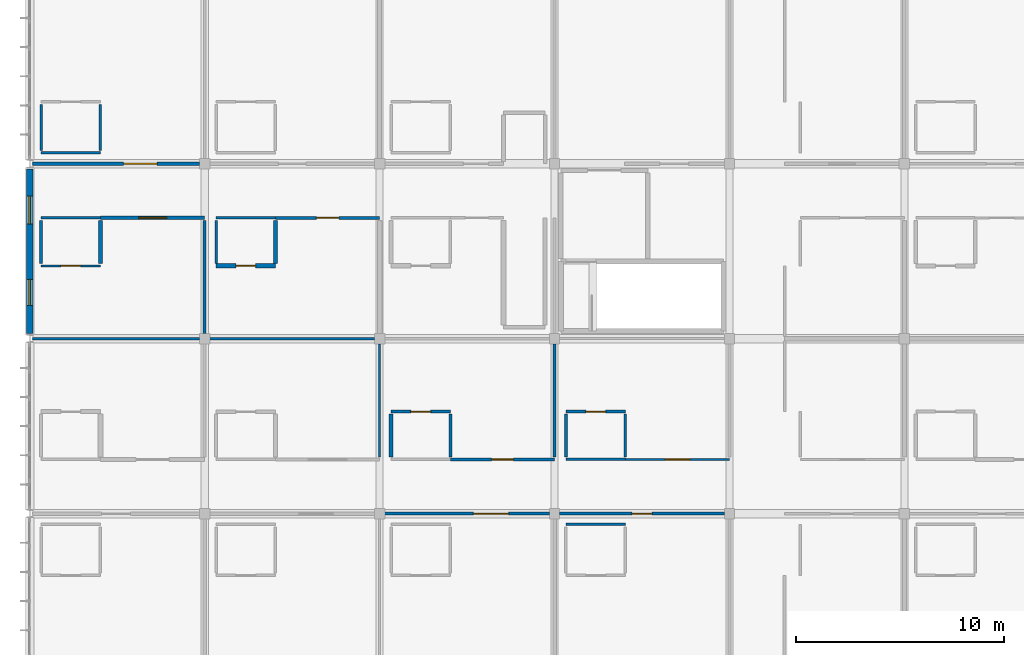
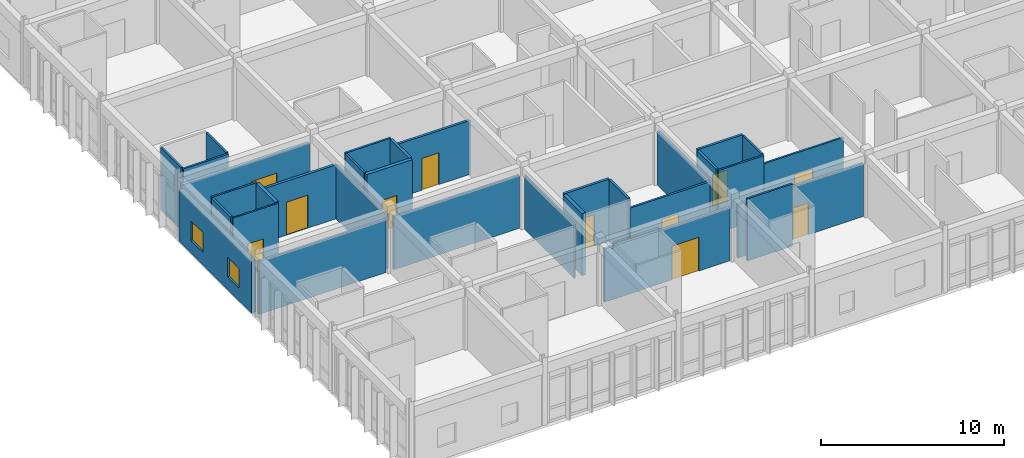
# One storey, part 96 of 144: 32 walls, 11 doors, 2 windows, 13 openings.
"""IFC4 building model written with IfcOpenShell, lengths in metres."""

import ifcopenshell
import ifcopenshell.guid

model = None  # the IFC model being written
_history = None  # IfcOwnerHistory: only IFC2X3 demands one
_inside = {}  # id of a spatial element -> (the spatial element, [elements in it])
_under = {}  # id of a project, library or spatial element -> (it, [spatial elements below it])
_declared = {}  # id of a project -> (the project, [libraries it declares])
_typed = {}  # id of a type object -> (the type object, [elements of that type])
_made_of = {}  # id of a material, layer set ... -> (it, [elements and type objects made of it])


def new_model(schema):
    """Start an empty IFC model of exactly this schema.

    Asked for "IFC4X3", IfcOpenShell would pick the latest addendum, in which some entities
    have other attributes; the version numbers below select the first issue.
    IFC2X3 requires an IfcOwnerHistory on every rooted entity: one is made here for all.
    """
    global model, _history
    if schema == "IFC4X3":
        model = ifcopenshell.file(schema_version=(4, 3, 0, 0))
    else:
        model = ifcopenshell.file(schema=schema)
    _inside.clear()
    _under.clear()
    _declared.clear()
    _typed.clear()
    _made_of.clear()
    _history = None
    if model.schema == "IFC2X3":
        org = make("IfcOrganization", Name="unknown")
        user = make(
            "IfcPersonAndOrganization",
            ThePerson=make("IfcPerson", FamilyName="unknown"),
            TheOrganization=org,
        )
        app = make(
            "IfcApplication",
            ApplicationDeveloper=org,
            Version="unknown",
            ApplicationFullName="unknown",
            ApplicationIdentifier="unknown",
        )
        _history = make(
            "IfcOwnerHistory",
            OwningUser=user,
            OwningApplication=app,
            ChangeAction="ADDED",
            CreationDate=0,
        )
    return model


def make(cls, **values):
    """One entity of the class cls with the attributes given. An attribute that is None is left unset."""
    return model.create_entity(
        cls, **{name: value for name, value in values.items() if value is not None}
    )


def rooted(cls, **values):
    """An entity with a GlobalId (a new one), such as an element, a storey or a relation."""
    return make(cls, GlobalId=ifcopenshell.guid.new(), OwnerHistory=_history, **values)


def si_unit(unit_type, name, prefix=None):
    """IfcSIUnit, for example si_unit("LENGTHUNIT", "METRE", prefix="MILLI")."""
    return make("IfcSIUnit", UnitType=unit_type, Prefix=prefix, Name=name)


def assignment(units):
    """IfcUnitAssignment: the units of a project."""
    return None if units is None else make("IfcUnitAssignment", Units=units)


def point(xyz):
    """IfcCartesianPoint."""
    return None if xyz is None else make("IfcCartesianPoint", Coordinates=xyz)


def direction(xyz):
    """IfcDirection."""
    return None if xyz is None else make("IfcDirection", DirectionRatios=xyz)


def frame(location, z_axis=None, x_axis=None):
    """IfcAxis2Placement3D, a coordinate frame: its origin and axes. An axis left out is left unset."""
    return make(
        "IfcAxis2Placement3D",
        Location=point(location),
        Axis=direction(z_axis),
        RefDirection=direction(x_axis),
    )


def frame_2d(location, x_axis=None):
    """IfcAxis2Placement2D, a coordinate frame in the plane: its origin and x axis."""
    return make(
        "IfcAxis2Placement2D", Location=point(location), RefDirection=direction(x_axis)
    )


def origin():
    """The frame at (0, 0, 0) with its axes left unset."""
    return frame((0.0, 0.0, 0.0))


def place(relative_to, where):
    """IfcLocalPlacement: puts the frame where relative to a parent placement (None: the world)."""
    return make(
        "IfcLocalPlacement", PlacementRelTo=relative_to, RelativePlacement=where
    )


def context(
    kind, dimensions, precision=None, world=None, true_north=None, identifier=None
):
    """IfcGeometricRepresentationContext, for example the 3D "Model" context."""
    return make(
        "IfcGeometricRepresentationContext",
        ContextIdentifier=identifier,
        ContextType=kind,
        CoordinateSpaceDimension=dimensions,
        Precision=precision,
        WorldCoordinateSystem=world,
        TrueNorth=true_north,
    )


def subcontext(parent, identifier, kind, view, scale=None):
    """IfcGeometricRepresentationSubContext, for example "Body" below "Model"."""
    return make(
        "IfcGeometricRepresentationSubContext",
        ContextIdentifier=identifier,
        ContextType=kind,
        ParentContext=parent,
        TargetScale=scale,
        TargetView=view,
    )


def project(units=None, contexts=None):
    """IfcProject with its units and contexts."""
    return rooted(
        "IfcProject",
        Name="project",
        RepresentationContexts=contexts,
        UnitsInContext=assignment(units),
    )


def spatial(cls, under=None, at=None, **own):
    """A site, building, storey or space (cls), placed at a placement, below another one or the project."""
    s = rooted(cls, ObjectPlacement=at, **own)
    if under is not None:
        _under.setdefault(under.id(), (under, []))[1].append(s)
    return s


def profile(cls, at=None, kind="AREA", **sizes):
    """A parametric profile (cls). Its sizes go by their IFC names, for example OverallWidth=200.0."""
    return make(cls, ProfileType=kind, Position=at, **sizes)


def rectangle(**sizes):
    """IfcRectangleProfileDef."""
    return profile("IfcRectangleProfileDef", **sizes)


def extrude(swept, where, along, depth):
    """IfcExtrudedAreaSolid: the profile swept, set in the frame where, extruded along a direction by depth."""
    return make(
        "IfcExtrudedAreaSolid",
        SweptArea=swept,
        Position=where,
        ExtrudedDirection=direction(along),
        Depth=depth,
    )


def shape(context_of_items, identifier, shape_type, items):
    """IfcShapeRepresentation: the items that make up one representation, for example the "Body"."""
    return make(
        "IfcShapeRepresentation",
        ContextOfItems=context_of_items,
        RepresentationIdentifier=identifier,
        RepresentationType=shape_type,
        Items=items,
    )


def material(Name=None, Category=None):
    """IfcMaterial."""
    return make("IfcMaterial", Name=Name, Category=Category)


def layer(
    of_material, thickness, ventilated=None, Name=None, Category=None, Priority=None
):
    """IfcMaterialLayer: one layer of a wall or slab, of a material (None: an air gap)."""
    return make(
        "IfcMaterialLayer",
        Material=of_material,
        LayerThickness=thickness,
        IsVentilated=ventilated,
        Name=Name,
        Category=Category,
        Priority=Priority,
    )


def layer_set(layers, Name=None):
    """IfcMaterialLayerSet."""
    return make("IfcMaterialLayerSet", MaterialLayers=layers, LayerSetName=Name)


def made_of(thing, what):
    """Note that an element or type object is made of a material, layer set ...; save() writes the relation."""
    if what is not None:
        _made_of.setdefault(what.id(), (what, []))[1].append(thing)
    return thing


def type_object(cls, material=None, **own):
    """A type object (cls), such as IfcWallType, which elements share."""
    return made_of(rooted(cls, **own), material)


def element(
    cls,
    number,
    at=None,
    inside=None,
    cuts=None,
    type_object=None,
    material=None,
    context=None,
    identifier="Body",
    shape_type=None,
    held_by="IfcProductDefinitionShape",
    body=None,
    shapes=None,
    **own,
):
    """One element of the class cls, such as IfcWall. Its Tag is "e" and its number.

    at: its placement. inside: the storey or other place that contains it. cuts: it is an
    opening in that element (IfcRelVoidsElement). A single representation is given by context,
    identifier, shape_type and body (its items); several are given by shapes. held_by: the class
    of the entity that holds the representations. save() writes the other relations.
    """
    e = rooted(cls, Tag="e%d" % number, ObjectPlacement=at, **own)
    if body is not None:
        shapes = [shape(context, identifier, shape_type, body)]
    if shapes is not None:
        e.Representation = make(held_by, Representations=shapes)
    if inside is not None:
        _inside.setdefault(inside.id(), (inside, []))[1].append(e)
    if cuts is not None:
        rooted(
            "IfcRelVoidsElement", RelatingBuildingElement=cuts, RelatedOpeningElement=e
        )
    if type_object is not None:
        _typed.setdefault(type_object.id(), (type_object, []))[1].append(e)
    return made_of(e, material)


def fill(opening, filler):
    """IfcRelFillsElement: the door or window that sits in an opening."""
    return rooted(
        "IfcRelFillsElement",
        RelatingOpeningElement=opening,
        RelatedBuildingElement=filler,
    )


def aggregate(whole, parts):
    """IfcRelAggregates: a whole, such as a stair, and the parts it consists of."""
    return rooted("IfcRelAggregates", RelatingObject=whole, RelatedObjects=parts)


def save(model, path):
    """Write the relations noted so far, then the file.

    IfcRelAggregates (storeys below a building ...), IfcRelContainedInSpatialStructure (elements
    in a storey), IfcRelDefinesByType, IfcRelAssociatesMaterial and IfcRelDeclares: one each for
    every whole, place, type object, material and project.
    """
    for whole, parts in _under.values():
        aggregate(whole, parts)
    for where, things in _inside.values():
        rooted(
            "IfcRelContainedInSpatialStructure",
            RelatedElements=things,
            RelatingStructure=where,
        )
    for kind, things in _typed.values():
        rooted("IfcRelDefinesByType", RelatedObjects=things, RelatingType=kind)
    for what, things in _made_of.values():
        rooted("IfcRelAssociatesMaterial", RelatedObjects=things, RelatingMaterial=what)
    for by, libraries in _declared.values():
        rooted("IfcRelDeclares", RelatingContext=by, RelatedDefinitions=libraries)
    model.write(path)


model = new_model("IFC4")

# Units and contexts
model_context = context("Model", 3, precision=1e-05, world=origin(), true_north=direction((0.0, 1.0)))
body_context = subcontext(model_context, "Body", "Model", "MODEL_VIEW")
ifc_project = project(units=[si_unit("LENGTHUNIT", "METRE"), si_unit("AREAUNIT", "SQUARE_METRE"), si_unit("VOLUMEUNIT", "CUBIC_METRE"), si_unit("PLANEANGLEUNIT", "RADIAN"), si_unit("MASSUNIT", "GRAM", prefix="KILO")], contexts=[model_context])

# Site, building, storey
site_placement = place(None, origin())
site = spatial("IfcSite", under=ifc_project, at=site_placement, CompositionType="ELEMENT")
building_placement = place(site_placement, origin())
building = spatial("IfcBuilding", under=site, at=building_placement, Name="Bramfleet General Hospital", CompositionType="ELEMENT")
storey_placement = place(building_placement, frame((0.0, 0.0, 4.800048828125)))
storey = spatial("IfcBuildingStorey", under=building, at=storey_placement, Name="L01", CompositionType="ELEMENT", Elevation=4.800048828125)

# Wall, openings, windows
ifc_material_1 = material(Name="Precast concrete C40/50", Category="concrete")
ifc_layer_1 = layer(ifc_material_1, 0.294921875, Name="WT-EW-05")
ifc_layer_set_1 = layer_set([ifc_layer_1], Name="Precast concrete C40/50")
wall_type_1 = type_object("IfcWallType", Name="WT-EW-05", PredefinedType="SOLIDWALL", material=ifc_layer_set_1)
wall_1_placement = place(storey_placement, frame((0.0, 17.054931640625, 0.0), z_axis=(0.0, 0.0, 1.0), x_axis=(0.0, 1.0, 0.0)))
wall_1 = element("IfcWall", 1, at=wall_1_placement, inside=storey, type_object=wall_type_1, Name="L01 Exterior Wall 192", PredefinedType="SOLIDWALL", context=body_context, shape_type="SweptSolid", body=[
    extrude(rectangle(XDim=7.89013671875, YDim=0.294921875, at=frame_2d((3.945068359375, 0.0))), origin(), (0.0, 0.0, 1.0), 3.43994140625),
])
opening_1_placement = place(wall_1_placement, frame((1.347412109375, 0.0, 0.85009765625)))
opening_1 = element("IfcOpeningElement", 2, at=opening_1_placement, cuts=wall_1, Name="Opening W-04", PredefinedType="OPENING", context=body_context, shape_type="SweptSolid", body=[
    extrude(rectangle(XDim=1.25, YDim=1.300048828125, at=frame_2d((0.625, 0.64990234375))), frame((0.0, 0.157470703125, 0.0), z_axis=(0.0, -1.0, 0.0), x_axis=(1.0, 0.0, 0.0)), (0.0, 0.0, 1.0), 0.31494140625),
])
opening_2_placement = place(wall_1_placement, frame((5.242431640625, 0.0, 0.85009765625)))
opening_2 = element("IfcOpeningElement", 3, at=opening_2_placement, cuts=wall_1, Name="Opening W-05", PredefinedType="OPENING", context=body_context, shape_type="SweptSolid", body=[
    extrude(rectangle(XDim=1.35009765625, YDim=1.300048828125, at=frame_2d((0.675048828125, 0.64990234375))), frame((0.0, 0.157470703125, 0.0), z_axis=(0.0, -1.0, 0.0), x_axis=(1.0, 0.0, 0.0)), (0.0, 0.0, 1.0), 0.31494140625),
])
ifc_material_2 = material(Name="Anodised aluminium and low-E triple glazing", Category="aluminium")
window_type_1 = type_object("IfcWindowType", Name="WIN-W-04", PartitioningType="SINGLE_PANEL", PredefinedType="WINDOW", material=ifc_material_2)
window_1_placement = place(opening_1_placement, origin())
window_1 = element("IfcWindow", 4, at=window_1_placement, inside=storey, type_object=window_type_1, Name="L01 Facade Window WIN-L01-192-1", OverallHeight=1.300048828125, OverallWidth=1.25, PartitioningType="SINGLE_PANEL", PredefinedType="WINDOW", context=body_context, shape_type="SweptSolid", body=[
    extrude(rectangle(XDim=1.25, YDim=1.300048828125, at=frame_2d((0.625, 0.64990234375))), frame((0.0, 0.030029296875, 0.0), z_axis=(0.0, -1.0, 0.0), x_axis=(1.0, 0.0, 0.0)), (0.0, 0.0, 1.0), 0.06005859375),
])
fill(opening_1, window_1)
window_type_2 = type_object("IfcWindowType", Name="WIN-W-05", PartitioningType="SINGLE_PANEL", PredefinedType="WINDOW", material=ifc_material_2)
window_2_placement = place(opening_2_placement, origin())
window_2 = element("IfcWindow", 5, at=window_2_placement, inside=storey, type_object=window_type_2, Name="L01 Facade Window WIN-L01-192-2", OverallHeight=1.300048828125, OverallWidth=1.35009765625, PartitioningType="SINGLE_PANEL", PredefinedType="WINDOW", context=body_context, shape_type="SweptSolid", body=[
    extrude(rectangle(XDim=1.35009765625, YDim=1.300048828125, at=frame_2d((0.675048828125, 0.64990234375))), frame((0.0, 0.030029296875, 0.0), z_axis=(0.0, -1.0, 0.0), x_axis=(1.0, 0.0, 0.0)), (0.0, 0.0, 1.0), 0.06005859375),
])
fill(opening_2, window_2)

# Wall, opening, door
ifc_material_3 = material(Name="Concrete C35/45", Category="concrete")
ifc_layer_2 = layer(ifc_material_3, 0.219970703125, Name="WT-IW-01")
ifc_layer_set_2 = layer_set([ifc_layer_2], Name="Concrete C35/45")
wall_type_2 = type_object("IfcWallType", Name="WT-IW-01", PredefinedType="PARTITIONING", material=ifc_layer_set_2)
wall_2_placement = place(storey_placement, frame((8.949951171875, 20.300048828125, 0.0), z_axis=(0.0, 0.0, 1.0), x_axis=(1.0, 0.0, 0.0)))
wall_2 = element("IfcWall", 6, at=wall_2_placement, inside=storey, type_object=wall_type_2, Name="L01 Interior Partition IW-L01-1285", PredefinedType="PARTITIONING", context=body_context, shape_type="SweptSolid", body=[
    extrude(rectangle(XDim=2.85009765625, YDim=0.219970703125, at=frame_2d((1.425048828125, 0.0))), origin(), (0.0, 0.0, 1.0), 4.139892578125),
])
opening_3_placement = place(wall_2_placement, frame((0.949951171875, 0.0, 0.0)))
opening_3 = element("IfcOpeningElement", 7, at=opening_3_placement, cuts=wall_2, Name="Opening D0631", PredefinedType="OPENING", context=body_context, shape_type="SweptSolid", body=[
    extrude(rectangle(XDim=0.949951171875, YDim=2.10009765625, at=frame_2d((0.47509765625, 1.050048828125))), frame((0.0, 0.119873046875, 0.0), z_axis=(0.0, -1.0, 0.0), x_axis=(1.0, 0.0, 0.0)), (0.0, 0.0, 1.0), 0.239990234375),
])
ifc_material_4 = material(Name="Stainless steel and acoustic timber leaf", Category="steel")
door_type_1 = type_object("IfcDoorType", Name="DR-D-10", OperationType="NOTDEFINED", PredefinedType="DOOR", material=ifc_material_4)
door_1_placement = place(opening_3_placement, origin())
door_1 = element("IfcDoor", 8, at=door_1_placement, inside=storey, type_object=door_type_1, Name="Observation En-Suite Bathroom L01-0102 Door D0631", OperationType="SINGLE_SWING_LEFT", OverallHeight=2.10009765625, OverallWidth=0.949951171875, PredefinedType="DOOR", context=body_context, shape_type="SweptSolid", body=[
    extrude(rectangle(XDim=0.949951171875, YDim=2.10009765625, at=frame_2d((0.47509765625, 1.050048828125))), frame((0.0, 0.02490234375, 0.0), z_axis=(0.0, -1.0, 0.0), x_axis=(1.0, 0.0, 0.0)), (0.0, 0.0, 1.0), 0.050048828125),
])
fill(opening_3, door_1)

# Walls
ifc_layer_3 = layer(ifc_material_3, 0.205078125, Name="WT-IW-02")
ifc_layer_set_3 = layer_set([ifc_layer_3], Name="Concrete C35/45")
wall_type_3 = type_object("IfcWallType", Name="WT-IW-02", PredefinedType="PARTITIONING", material=ifc_layer_set_3)
for number, where, z_axis, x_axis, name in (
    (9, (3.39990234375, 20.4150390625, 0.0), (0.0, 0.0, 1.0), (0.0, 1.0, 0.0), "L01 Interior Partition IW-L01-1586"),
    (10, (17.35009765625, 11.114990234375, 0.0), (0.0, 0.0, 1.0), (0.0, 1.0, 0.0), "L01 Interior Partition IW-L01-1634"),
):
    element("IfcWall", number, at=place(storey_placement, frame(where, z_axis=z_axis, x_axis=x_axis)), inside=storey, type_object=wall_type_3, Name=name, PredefinedType="PARTITIONING", context=body_context, shape_type="SweptSolid", body=[
        extrude(rectangle(XDim=2.070068359375, YDim=0.205078125, at=frame_2d((1.03515625, 0.0))), origin(), (0.0, 0.0, 1.0), 4.139892578125),
    ])

# Wall, opening, door
ifc_layer_4 = layer(ifc_material_3, 0.18994140625, Name="WT-IW-03")
ifc_layer_set_4 = layer_set([ifc_layer_4], Name="Concrete C35/45")
wall_type_4 = type_object("IfcWallType", Name="WT-IW-03", PredefinedType="PARTITIONING", material=ifc_layer_set_4)
wall_3_placement = place(storey_placement, frame((0.14501953125, 25.199951171875, 0.0), z_axis=(0.0, 0.0, 1.0), x_axis=(1.0, 0.0, 0.0)))
wall_3 = element("IfcWall", 11, at=wall_3_placement, inside=storey, type_object=wall_type_4, Name="L01 Interior Partition IW-L01-1311", PredefinedType="PARTITIONING", context=body_context, shape_type="SweptSolid", body=[
    extrude(rectangle(XDim=8.010009765625, YDim=0.18994140625, at=frame_2d((4.0048828125, 0.0))), origin(), (0.0, 0.0, 1.0), 3.5400390625),
])
opening_4_placement = place(wall_3_placement, frame((4.37060546875, 0.0, 0.0)))
opening_4 = element("IfcOpeningElement", 12, at=opening_4_placement, cuts=wall_3, Name="Opening D0612", PredefinedType="OPENING", context=body_context, shape_type="SweptSolid", body=[
    extrude(rectangle(XDim=1.60009765625, YDim=2.25, at=frame_2d((0.800048828125, 1.125))), frame((0.0, 0.10498046875, 0.0), z_axis=(0.0, -1.0, 0.0), x_axis=(1.0, 0.0, 0.0)), (0.0, 0.0, 1.0), 0.2099609375),
])
door_type_2 = type_object("IfcDoorType", Name="DR-D-04", OperationType="NOTDEFINED", PredefinedType="DOOR", material=ifc_material_4)
door_2_placement = place(opening_4_placement, origin())
door_2 = element("IfcDoor", 13, at=door_2_placement, inside=storey, type_object=door_type_2, Name="Emergency Observation Ward Room L01-0003 Door D0612", OperationType="DOUBLE_SWING_LEFT", OverallHeight=2.25, OverallWidth=1.60009765625, PredefinedType="DOOR", context=body_context, shape_type="SweptSolid", body=[
    extrude(rectangle(XDim=1.60009765625, YDim=2.25, at=frame_2d((0.800048828125, 1.125))), frame((0.0, 0.02490234375, 0.0), z_axis=(0.0, -1.0, 0.0), x_axis=(1.0, 0.0, 0.0)), (0.0, 0.0, 1.0), 0.050048828125),
])
fill(opening_4, door_2)

# Wall
ifc_layer_5 = layer(ifc_material_3, 0.179931640625, Name="WT-IW-04")
ifc_layer_set_5 = layer_set([ifc_layer_5], Name="Concrete C35/45")
wall_type_5 = type_object("IfcWallType", Name="WT-IW-04", PredefinedType="PARTITIONING", material=ifc_layer_set_5)
wall_4_placement = place(storey_placement, frame((11.800048828125, 20.4150390625, 0.0), z_axis=(0.0, 0.0, 1.0), x_axis=(0.0, 1.0, 0.0)))
element("IfcWall", 14, at=wall_4_placement, inside=storey, type_object=wall_type_5, Name="L01 Interior Partition IW-L01-1612", PredefinedType="PARTITIONING", context=body_context, shape_type="SweptSolid", body=[
    extrude(rectangle(XDim=2.070068359375, YDim=0.179931640625, at=frame_2d((1.03515625, 0.0))), origin(), (0.0, 0.0, 1.0), 4.139892578125),
])

# Wall, opening, door
ifc_material_5 = material(Name="Gypsum plasterboard on acoustic steel studs", Category="steel")
ifc_layer_6 = layer(ifc_material_5, 0.169921875, Name="WT-IW-05")
ifc_layer_set_6 = layer_set([ifc_layer_6], Name="Gypsum plasterboard on acoustic steel studs")
wall_type_6 = type_object("IfcWallType", Name="WT-IW-05", PredefinedType="PARTITIONING", material=ifc_layer_set_6)
wall_5_placement = place(storey_placement, frame((3.39990234375, 22.60009765625, 0.0), z_axis=(0.0, 0.0, 1.0), x_axis=(1.0, 0.0, 0.0)))
wall_5 = element("IfcWall", 15, at=wall_5_placement, inside=storey, type_object=wall_type_6, Name="L01 Interior Partition IW-L01-1289", PredefinedType="PARTITIONING", context=body_context, shape_type="SweptSolid", body=[
    extrude(rectangle(XDim=5.0, YDim=0.169921875, at=frame_2d((2.5, 0.0))), origin(), (0.0, 0.0, 1.0), 3.58984375),
])
opening_5_placement = place(wall_5_placement, frame((1.824951171875, 0.0, 0.0)))
opening_5 = element("IfcOpeningElement", 16, at=opening_5_placement, cuts=wall_5, Name="Opening D0610", PredefinedType="OPENING", context=body_context, shape_type="SweptSolid", body=[
    extrude(rectangle(XDim=1.35009765625, YDim=2.199951171875, at=frame_2d((0.675048828125, 1.10009765625))), frame((0.0, 0.094970703125, 0.0), z_axis=(0.0, -1.0, 0.0), x_axis=(1.0, 0.0, 0.0)), (0.0, 0.0, 1.0), 0.18994140625),
])
door_type_3 = type_object("IfcDoorType", Name="DR-D-02", OperationType="NOTDEFINED", PredefinedType="DOOR", material=ifc_material_4)
door_3_placement = place(opening_5_placement, origin())
door_3 = element("IfcDoor", 17, at=door_3_placement, inside=storey, type_object=door_type_3, Name="Emergency Observation Ward Room L01-0002 Door D0610", OperationType="SINGLE_SWING_LEFT", OverallHeight=2.199951171875, OverallWidth=1.35009765625, PredefinedType="DOOR", context=body_context, shape_type="SweptSolid", body=[
    extrude(rectangle(XDim=1.35009765625, YDim=2.199951171875, at=frame_2d((0.675048828125, 1.10009765625))), frame((0.0, 0.02490234375, 0.0), z_axis=(0.0, -1.0, 0.0), x_axis=(1.0, 0.0, 0.0)), (0.0, 0.0, 1.0), 0.050048828125),
])
fill(opening_5, door_3)

ifc_layer_7 = layer(ifc_material_5, 0.159912109375, Name="WT-IW-06")
ifc_layer_set_7 = layer_set([ifc_layer_7], Name="Gypsum plasterboard on acoustic steel studs")
wall_type_7 = type_object("IfcWallType", Name="WT-IW-06", PredefinedType="PARTITIONING", material=ifc_layer_set_7)
wall_6_placement = place(storey_placement, frame((17.35009765625, 13.300048828125, 0.0), z_axis=(0.0, 0.0, 1.0), x_axis=(1.0, 0.0, 0.0)))
wall_6 = element("IfcWall", 18, at=wall_6_placement, inside=storey, type_object=wall_type_7, Name="L01 Interior Partition IW-L01-1254", PredefinedType="PARTITIONING", context=body_context, shape_type="SweptSolid", body=[
    extrude(rectangle(XDim=2.849853515625, YDim=0.159912109375, at=frame_2d((1.4248046875, 0.0))), origin(), (0.0, 0.0, 1.0), 4.139892578125),
])
opening_6_placement = place(wall_6_placement, frame((0.949951171875, 0.0, 0.0)))
opening_6 = element("IfcOpeningElement", 19, at=opening_6_placement, cuts=wall_6, Name="Opening D0650", PredefinedType="OPENING", context=body_context, shape_type="SweptSolid", body=[
    extrude(rectangle(XDim=0.949951171875, YDim=2.10009765625, at=frame_2d((0.47509765625, 1.050048828125))), frame((0.0, 0.08984375, 0.0), z_axis=(0.0, -1.0, 0.0), x_axis=(1.0, 0.0, 0.0)), (0.0, 0.0, 1.0), 0.179931640625),
])
door_4_placement = place(opening_6_placement, origin())
door_4 = element("IfcDoor", 20, at=door_4_placement, inside=storey, type_object=door_type_1, Name="Observation En-Suite Bathroom L01-0201 Door D0650", OperationType="SINGLE_SWING_LEFT", OverallHeight=2.10009765625, OverallWidth=0.949951171875, PredefinedType="DOOR", context=body_context, shape_type="SweptSolid", body=[
    extrude(rectangle(XDim=0.949951171875, YDim=2.10009765625, at=frame_2d((0.47509765625, 1.050048828125))), frame((0.0, 0.02490234375, 0.0), z_axis=(0.0, -1.0, 0.0), x_axis=(1.0, 0.0, 0.0)), (0.0, 0.0, 1.0), 0.050048828125),
])
fill(opening_6, door_4)

# Wall
wall_7_placement = place(storey_placement, frame((25.199951171875, 11.114990234375, 0.0), z_axis=(0.0, 0.0, 1.0), x_axis=(0.0, 1.0, 0.0)))
element("IfcWall", 21, at=wall_7_placement, inside=storey, type_object=wall_type_7, Name="L01 Interior Partition IW-L01-1650", PredefinedType="PARTITIONING", context=body_context, shape_type="SweptSolid", body=[
    extrude(rectangle(XDim=5.43994140625, YDim=0.159912109375, at=frame_2d((2.719970703125, 0.0))), origin(), (0.0, 0.0, 1.0), 3.58984375),
])

# Wall, opening, door
ifc_layer_8 = layer(ifc_material_5, 0.14990234375, Name="WT-IW-07")
ifc_layer_set_8 = layer_set([ifc_layer_8], Name="Gypsum plasterboard on acoustic steel studs")
wall_type_8 = type_object("IfcWallType", Name="WT-IW-07", PredefinedType="PARTITIONING", material=ifc_layer_set_8)
wall_8_placement = place(storey_placement, frame((17.044921875, 8.39990234375, 0.0), z_axis=(0.0, 0.0, 1.0), x_axis=(1.0, 0.0, 0.0)))
wall_8 = element("IfcWall", 22, at=wall_8_placement, inside=storey, type_object=wall_type_8, Name="L01 Interior Partition IW-L01-1207", PredefinedType="PARTITIONING", context=body_context, shape_type="SweptSolid", body=[
    extrude(rectangle(XDim=7.91015625, YDim=0.14990234375, at=frame_2d((3.955078125, 0.0))), origin(), (0.0, 0.0, 1.0), 3.5400390625),
])
opening_7_placement = place(wall_8_placement, frame((4.255615234375, 0.0, 0.0)))
opening_7 = element("IfcOpeningElement", 23, at=opening_7_placement, cuts=wall_8, Name="Opening D0647", PredefinedType="OPENING", context=body_context, shape_type="SweptSolid", body=[
    extrude(rectangle(XDim=1.699951171875, YDim=2.25, at=frame_2d((0.85009765625, 1.125))), frame((0.0, 0.0849609375, 0.0), z_axis=(0.0, -1.0, 0.0), x_axis=(1.0, 0.0, 0.0)), (0.0, 0.0, 1.0), 0.169921875),
])
door_type_4 = type_object("IfcDoorType", Name="DR-D-07", OperationType="NOTDEFINED", PredefinedType="DOOR", material=ifc_material_4)
door_5_placement = place(opening_7_placement, origin())
door_5 = element("IfcDoor", 24, at=door_5_placement, inside=storey, type_object=door_type_4, Name="Emergency Observation Ward Room L01-0200 Door D0647", OperationType="DOUBLE_SWING_RIGHT", OverallHeight=2.25, OverallWidth=1.699951171875, PredefinedType="DOOR", context=body_context, shape_type="SweptSolid", body=[
    extrude(rectangle(XDim=1.699951171875, YDim=2.25, at=frame_2d((0.85009765625, 1.125))), frame((0.0, 0.02490234375, 0.0), z_axis=(0.0, -1.0, 0.0), x_axis=(1.0, 0.0, 0.0)), (0.0, 0.0, 1.0), 0.050048828125),
])
fill(opening_7, door_5)

wall_9_placement = place(storey_placement, frame((25.75, 13.300048828125, 0.0), z_axis=(0.0, 0.0, 1.0), x_axis=(1.0, 0.0, 0.0)))
wall_9 = element("IfcWall", 25, at=wall_9_placement, inside=storey, type_object=wall_type_8, Name="L01 Interior Partition IW-L01-1255", PredefinedType="PARTITIONING", context=body_context, shape_type="SweptSolid", body=[
    extrude(rectangle(XDim=2.85009765625, YDim=0.14990234375, at=frame_2d((1.425048828125, 0.0))), origin(), (0.0, 0.0, 1.0), 4.139892578125),
])
opening_8_placement = place(wall_9_placement, frame((0.949951171875, 0.0, 0.0)))
opening_8 = element("IfcOpeningElement", 26, at=opening_8_placement, cuts=wall_9, Name="Opening D0669", PredefinedType="OPENING", context=body_context, shape_type="SweptSolid", body=[
    extrude(rectangle(XDim=0.949951171875, YDim=2.10009765625, at=frame_2d((0.47509765625, 1.050048828125))), frame((0.0, 0.0849609375, 0.0), z_axis=(0.0, -1.0, 0.0), x_axis=(1.0, 0.0, 0.0)), (0.0, 0.0, 1.0), 0.169921875),
])
door_6_placement = place(opening_8_placement, origin())
door_6 = element("IfcDoor", 27, at=door_6_placement, inside=storey, type_object=door_type_1, Name="Observation En-Suite Bathroom L01-0301 Door D0669", OperationType="SINGLE_SWING_LEFT", OverallHeight=2.10009765625, OverallWidth=0.949951171875, PredefinedType="DOOR", context=body_context, shape_type="SweptSolid", body=[
    extrude(rectangle(XDim=0.949951171875, YDim=2.10009765625, at=frame_2d((0.47509765625, 1.050048828125))), frame((0.0, 0.02490234375, 0.0), z_axis=(0.0, -1.0, 0.0), x_axis=(1.0, 0.0, 0.0)), (0.0, 0.0, 1.0), 0.050048828125),
])
fill(opening_8, door_6)

wall_10_placement = place(storey_placement, frame((11.800048828125, 22.60009765625, 0.0), z_axis=(0.0, 0.0, 1.0), x_axis=(1.0, 0.0, 0.0)))
wall_10 = element("IfcWall", 28, at=wall_10_placement, inside=storey, type_object=wall_type_8, Name="L01 Interior Partition IW-L01-1291", PredefinedType="PARTITIONING", context=body_context, shape_type="SweptSolid", body=[
    extrude(rectangle(XDim=5.0, YDim=0.14990234375, at=frame_2d((2.5, 0.0))), origin(), (0.0, 0.0, 1.0), 3.58984375),
])
opening_9_placement = place(wall_10_placement, frame((1.9599609375, 0.0, 0.0)))
opening_9 = element("IfcOpeningElement", 29, at=opening_9_placement, cuts=wall_10, Name="Opening D0630", PredefinedType="OPENING", context=body_context, shape_type="SweptSolid", body=[
    extrude(rectangle(XDim=1.080078125, YDim=2.1201171875, at=frame_2d((0.5400390625, 1.06005859375))), frame((0.0, 0.0849609375, 0.0), z_axis=(0.0, -1.0, 0.0), x_axis=(1.0, 0.0, 0.0)), (0.0, 0.0, 1.0), 0.169921875),
])
door_type_5 = type_object("IfcDoorType", Name="DR-D-22", OperationType="NOTDEFINED", PredefinedType="DOOR", material=ifc_material_4)
door_7_placement = place(opening_9_placement, origin())
door_7 = element("IfcDoor", 30, at=door_7_placement, inside=storey, type_object=door_type_5, Name="Emergency Observation Ward Room L01-0102 Door D0630", OperationType="SINGLE_SWING_LEFT", OverallHeight=2.1201171875, OverallWidth=1.080078125, PredefinedType="DOOR", context=body_context, shape_type="SweptSolid", body=[
    extrude(rectangle(XDim=1.080078125, YDim=2.1201171875, at=frame_2d((0.5400390625, 1.06005859375))), frame((0.0, 0.02490234375, 0.0), z_axis=(0.0, -1.0, 0.0), x_axis=(1.0, 0.0, 0.0)), (0.0, 0.0, 1.0), 0.050048828125),
])
fill(opening_9, door_7)

# Wall
wall_11_placement = place(storey_placement, frame((25.75, 11.114990234375, 0.0), z_axis=(0.0, 0.0, 1.0), x_axis=(0.0, 1.0, 0.0)))
element("IfcWall", 31, at=wall_11_placement, inside=storey, type_object=wall_type_8, Name="L01 Interior Partition IW-L01-1663", PredefinedType="PARTITIONING", context=body_context, shape_type="SweptSolid", body=[
    extrude(rectangle(XDim=2.070068359375, YDim=0.14990234375, at=frame_2d((1.03515625, 0.0))), origin(), (0.0, 0.0, 1.0), 4.139892578125),
])

# Wall, opening, door
ifc_layer_9 = layer(ifc_material_5, 0.139892578125, Name="WT-IW-08")
ifc_layer_set_9 = layer_set([ifc_layer_9], Name="Gypsum plasterboard on acoustic steel studs")
wall_type_9 = type_object("IfcWallType", Name="WT-IW-08", PredefinedType="PARTITIONING", material=ifc_layer_set_9)
wall_12_placement = place(storey_placement, frame((25.445068359375, 8.39990234375, 0.0), z_axis=(0.0, 0.0, 1.0), x_axis=(1.0, 0.0, 0.0)))
wall_12 = element("IfcWall", 32, at=wall_12_placement, inside=storey, type_object=wall_type_9, Name="L01 Interior Partition IW-L01-1208", PredefinedType="PARTITIONING", context=body_context, shape_type="SweptSolid", body=[
    extrude(rectangle(XDim=7.909912109375, YDim=0.139892578125, at=frame_2d((3.955078125, 0.0))), origin(), (0.0, 0.0, 1.0), 3.5400390625),
])
opening_10_placement = place(wall_12_placement, frame((3.465087890625, 0.0, 0.0)))
opening_10 = element("IfcOpeningElement", 33, at=opening_10_placement, cuts=wall_12, Name="Opening D0666", PredefinedType="OPENING", context=body_context, shape_type="SweptSolid", body=[
    extrude(rectangle(XDim=0.97998046875, YDim=2.1201171875, at=frame_2d((0.489990234375, 1.06005859375))), frame((0.0, 0.079833984375, 0.0), z_axis=(0.0, -1.0, 0.0), x_axis=(1.0, 0.0, 0.0)), (0.0, 0.0, 1.0), 0.159912109375),
])
door_type_6 = type_object("IfcDoorType", Name="DR-D-26", OperationType="NOTDEFINED", PredefinedType="DOOR", material=ifc_material_4)
door_8_placement = place(opening_10_placement, origin())
door_8 = element("IfcDoor", 34, at=door_8_placement, inside=storey, type_object=door_type_6, Name="Emergency Observation Ward Room L01-0300 Door D0666", OperationType="SINGLE_SWING_LEFT", OverallHeight=2.1201171875, OverallWidth=0.97998046875, PredefinedType="DOOR", context=body_context, shape_type="SweptSolid", body=[
    extrude(rectangle(XDim=0.97998046875, YDim=2.1201171875, at=frame_2d((0.489990234375, 1.06005859375))), frame((0.0, 0.02490234375, 0.0), z_axis=(0.0, -1.0, 0.0), x_axis=(1.0, 0.0, 0.0)), (0.0, 0.0, 1.0), 0.050048828125),
])
fill(opening_10, door_8)

# Walls
wall_13_placement = place(storey_placement, frame((0.550048828125, 20.4150390625, 0.0), z_axis=(0.0, 0.0, 1.0), x_axis=(0.0, 1.0, 0.0)))
element("IfcWall", 35, at=wall_13_placement, inside=storey, type_object=wall_type_9, Name="L01 Interior Partition IW-L01-1580", PredefinedType="PARTITIONING", context=body_context, shape_type="SweptSolid", body=[
    extrude(rectangle(XDim=2.070068359375, YDim=0.139892578125, at=frame_2d((1.03515625, 0.0))), origin(), (0.0, 0.0, 1.0), 4.139892578125),
])
wall_14_placement = place(storey_placement, frame((8.39990234375, 17.044921875, 0.0), z_axis=(0.0, 0.0, 1.0), x_axis=(0.0, 1.0, 0.0)))
element("IfcWall", 36, at=wall_14_placement, inside=storey, type_object=wall_type_9, Name="L01 Interior Partition IW-L01-1592", PredefinedType="PARTITIONING", context=body_context, shape_type="SweptSolid", body=[
    extrude(rectangle(XDim=5.440185546875, YDim=0.139892578125, at=frame_2d((2.72021484375, 0.0))), origin(), (0.0, 0.0, 1.0), 3.58984375),
])
wall_15_placement = place(storey_placement, frame((20.199951171875, 11.114990234375, 0.0), z_axis=(0.0, 0.0, 1.0), x_axis=(0.0, 1.0, 0.0)))
element("IfcWall", 37, at=wall_15_placement, inside=storey, type_object=wall_type_9, Name="L01 Interior Partition IW-L01-1640", PredefinedType="PARTITIONING", context=body_context, shape_type="SweptSolid", body=[
    extrude(rectangle(XDim=2.070068359375, YDim=0.139892578125, at=frame_2d((1.03515625, 0.0))), origin(), (0.0, 0.0, 1.0), 4.139892578125),
])

# Wall, opening, door
ifc_layer_10 = layer(ifc_material_5, 0.1298828125, Name="WT-IW-09")
ifc_layer_set_10 = layer_set([ifc_layer_10], Name="Gypsum plasterboard on acoustic steel studs")
wall_type_10 = type_object("IfcWallType", Name="WT-IW-09", PredefinedType="PARTITIONING", material=ifc_layer_set_10)
wall_16_placement = place(storey_placement, frame((20.199951171875, 11.0, 0.0), z_axis=(0.0, 0.0, 1.0), x_axis=(1.0, 0.0, 0.0)))
wall_16 = element("IfcWall", 38, at=wall_16_placement, inside=storey, type_object=wall_type_10, Name="L01 Interior Partition IW-L01-1233", PredefinedType="PARTITIONING", context=body_context, shape_type="SweptSolid", body=[
    extrude(rectangle(XDim=5.0, YDim=0.1298828125, at=frame_2d((2.5, 0.0))), origin(), (0.0, 0.0, 1.0), 3.58984375),
])
opening_11_placement = place(wall_16_placement, frame((1.97509765625, 0.0, 0.0)))
opening_11 = element("IfcOpeningElement", 39, at=opening_11_placement, cuts=wall_16, Name="Opening D0649", PredefinedType="OPENING", context=body_context, shape_type="SweptSolid", body=[
    extrude(rectangle(XDim=1.050048828125, YDim=2.14990234375, at=frame_2d((0.52490234375, 1.074951171875))), frame((0.0, 0.074951171875, 0.0), z_axis=(0.0, -1.0, 0.0), x_axis=(1.0, 0.0, 0.0)), (0.0, 0.0, 1.0), 0.14990234375),
])
door_type_7 = type_object("IfcDoorType", Name="DR-D-09", OperationType="NOTDEFINED", PredefinedType="DOOR", material=ifc_material_4)
door_9_placement = place(opening_11_placement, origin())
door_9 = element("IfcDoor", 40, at=door_9_placement, inside=storey, type_object=door_type_7, Name="Emergency Observation Ward Room L01-0201 Door D0649", OperationType="SINGLE_SWING_RIGHT", OverallHeight=2.14990234375, OverallWidth=1.050048828125, PredefinedType="DOOR", context=body_context, shape_type="SweptSolid", body=[
    extrude(rectangle(XDim=1.050048828125, YDim=2.14990234375, at=frame_2d((0.52490234375, 1.074951171875))), frame((0.0, 0.02490234375, 0.0), z_axis=(0.0, -1.0, 0.0), x_axis=(1.0, 0.0, 0.0)), (0.0, 0.0, 1.0), 0.050048828125),
])
fill(opening_11, door_9)

# Walls
wall_17_placement = place(storey_placement, frame((0.14501953125, 16.800048828125, 0.0), z_axis=(0.0, 0.0, 1.0), x_axis=(1.0, 0.0, 0.0)))
element("IfcWall", 41, at=wall_17_placement, inside=storey, type_object=wall_type_10, Name="L01 Interior Partition IW-L01-1257", PredefinedType="PARTITIONING", context=body_context, shape_type="SweptSolid", body=[
    extrude(rectangle(XDim=8.010009765625, YDim=0.1298828125, at=frame_2d((4.0048828125, 0.0))), origin(), (0.0, 0.0, 1.0), 3.5400390625),
])
ifc_layer_11 = layer(ifc_material_5, 0.1201171875, Name="WT-IW-10")
ifc_layer_set_11 = layer_set([ifc_layer_11], Name="Gypsum plasterboard on acoustic steel studs")
wall_type_11 = type_object("IfcWallType", Name="WT-IW-10", PredefinedType="PARTITIONING", material=ifc_layer_set_11)
for number, where, z_axis, x_axis, name in (
    (42, (25.75, 7.8798828125, 0.0), (0.0, 0.0, 1.0), (1.0, 0.0, 0.0), "L01 Interior Partition IW-L01-1203"),
    (43, (25.75, 11.0, 0.0), (0.0, 0.0, 1.0), (1.0, 0.0, 0.0), "L01 Interior Partition IW-L01-1234"),
):
    element("IfcWall", number, at=place(storey_placement, frame(where, z_axis=z_axis, x_axis=x_axis)), inside=storey, type_object=wall_type_11, Name=name, PredefinedType="PARTITIONING", context=body_context, shape_type="SweptSolid", body=[
        extrude(rectangle(XDim=2.85009765625, YDim=0.1201171875, at=frame_2d((1.425048828125, 0.0))), origin(), (0.0, 0.0, 1.0), 4.139892578125),
    ])
wall_18_placement = place(storey_placement, frame((8.64501953125, 16.800048828125, 0.0), z_axis=(0.0, 0.0, 1.0), x_axis=(1.0, 0.0, 0.0)))
element("IfcWall", 44, at=wall_18_placement, inside=storey, type_object=wall_type_11, Name="L01 Interior Partition IW-L01-1258", PredefinedType="PARTITIONING", context=body_context, shape_type="SweptSolid", body=[
    extrude(rectangle(XDim=7.909912109375, YDim=0.1201171875, at=frame_2d((3.955078125, 0.0))), origin(), (0.0, 0.0, 1.0), 3.5400390625),
])
wall_19_placement = place(storey_placement, frame((0.550048828125, 22.60009765625, 0.0), z_axis=(0.0, 0.0, 1.0), x_axis=(1.0, 0.0, 0.0)))
element("IfcWall", 45, at=wall_19_placement, inside=storey, type_object=wall_type_11, Name="L01 Interior Partition IW-L01-1288", PredefinedType="PARTITIONING", context=body_context, shape_type="SweptSolid", body=[
    extrude(rectangle(XDim=2.849853515625, YDim=0.1201171875, at=frame_2d((1.4248046875, 0.0))), origin(), (0.0, 0.0, 1.0), 4.139892578125),
])
wall_20_placement = place(storey_placement, frame((8.949951171875, 22.60009765625, 0.0), z_axis=(0.0, 0.0, 1.0), x_axis=(1.0, 0.0, 0.0)))
element("IfcWall", 46, at=wall_20_placement, inside=storey, type_object=wall_type_11, Name="L01 Interior Partition IW-L01-1290", PredefinedType="PARTITIONING", context=body_context, shape_type="SweptSolid", body=[
    extrude(rectangle(XDim=2.85009765625, YDim=0.1201171875, at=frame_2d((1.425048828125, 0.0))), origin(), (0.0, 0.0, 1.0), 4.139892578125),
])
wall_21_placement = place(storey_placement, frame((0.550048828125, 25.719970703125, 0.0), z_axis=(0.0, 0.0, 1.0), x_axis=(1.0, 0.0, 0.0)))
element("IfcWall", 47, at=wall_21_placement, inside=storey, type_object=wall_type_11, Name="L01 Interior Partition IW-L01-1320", PredefinedType="PARTITIONING", context=body_context, shape_type="SweptSolid", body=[
    extrude(rectangle(XDim=2.849853515625, YDim=0.1201171875, at=frame_2d((1.4248046875, 0.0))), origin(), (0.0, 0.0, 1.0), 4.139892578125),
])
for number, where, z_axis, x_axis, name in (
    (48, (0.550048828125, 25.8349609375, 0.0), (0.0, 0.0, 1.0), (0.0, 1.0, 0.0), "L01 Interior Partition IW-L01-1581"),
    (49, (3.39990234375, 25.8349609375, 0.0), (0.0, 0.0, 1.0), (0.0, 1.0, 0.0), "L01 Interior Partition IW-L01-1587"),
):
    element("IfcWall", number, at=place(storey_placement, frame(where, z_axis=z_axis, x_axis=x_axis)), inside=storey, type_object=wall_type_11, Name=name, PredefinedType="PARTITIONING", context=body_context, shape_type="SweptSolid", body=[
        extrude(rectangle(XDim=2.219970703125, YDim=0.1201171875, at=frame_2d((1.10986328125, 0.0))), origin(), (0.0, 0.0, 1.0), 4.139892578125),
    ])
wall_22_placement = place(storey_placement, frame((8.949951171875, 20.4150390625, 0.0), z_axis=(0.0, 0.0, 1.0), x_axis=(0.0, 1.0, 0.0)))
element("IfcWall", 50, at=wall_22_placement, inside=storey, type_object=wall_type_11, Name="L01 Interior Partition IW-L01-1606", PredefinedType="PARTITIONING", context=body_context, shape_type="SweptSolid", body=[
    extrude(rectangle(XDim=2.070068359375, YDim=0.1201171875, at=frame_2d((1.03515625, 0.0))), origin(), (0.0, 0.0, 1.0), 4.139892578125),
])

# Wall, opening, door
ifc_layer_12 = layer(ifc_material_5, 0.112060546875, Name="WT-IW-11")
ifc_layer_set_12 = layer_set([ifc_layer_12], Name="Gypsum plasterboard on acoustic steel studs")
wall_type_12 = type_object("IfcWallType", Name="WT-IW-11", PredefinedType="PARTITIONING", material=ifc_layer_set_12)
wall_23_placement = place(storey_placement, frame((28.60009765625, 11.0, 0.0), z_axis=(0.0, 0.0, 1.0), x_axis=(1.0, 0.0, 0.0)))
wall_23 = element("IfcWall", 51, at=wall_23_placement, inside=storey, type_object=wall_type_12, Name="L01 Interior Partition IW-L01-1235", PredefinedType="PARTITIONING", context=body_context, shape_type="SweptSolid", body=[
    extrude(rectangle(XDim=5.0, YDim=0.112060546875, at=frame_2d((2.5, 0.0))), origin(), (0.0, 0.0, 1.0), 3.58984375),
])
opening_12_placement = place(wall_23_placement, frame((1.909912109375, 0.0, 0.0)))
opening_12 = element("IfcOpeningElement", 52, at=opening_12_placement, cuts=wall_23, Name="Opening D0668", PredefinedType="OPENING", context=body_context, shape_type="SweptSolid", body=[
    extrude(rectangle(XDim=1.179931640625, YDim=2.179931640625, at=frame_2d((0.58984375, 1.08984375))), frame((0.0, 0.06591796875, 0.0), z_axis=(0.0, -1.0, 0.0), x_axis=(1.0, 0.0, 0.0)), (0.0, 0.0, 1.0), 0.132080078125),
])
door_type_8 = type_object("IfcDoorType", Name="DR-D-28", OperationType="NOTDEFINED", PredefinedType="DOOR", material=ifc_material_4)
door_10_placement = place(opening_12_placement, origin())
door_10 = element("IfcDoor", 53, at=door_10_placement, inside=storey, type_object=door_type_8, Name="Emergency Observation Ward Room L01-0301 Door D0668", OperationType="SINGLE_SWING_LEFT", OverallHeight=2.179931640625, OverallWidth=1.179931640625, PredefinedType="DOOR", context=body_context, shape_type="SweptSolid", body=[
    extrude(rectangle(XDim=1.179931640625, YDim=2.179931640625, at=frame_2d((0.58984375, 1.08984375))), frame((0.0, 0.02490234375, 0.0), z_axis=(0.0, -1.0, 0.0), x_axis=(1.0, 0.0, 0.0)), (0.0, 0.0, 1.0), 0.050048828125),
])
fill(opening_12, door_10)

# Wall
wall_24_placement = place(storey_placement, frame((28.60009765625, 11.114990234375, 0.0), z_axis=(0.0, 0.0, 1.0), x_axis=(0.0, 1.0, 0.0)))
element("IfcWall", 54, at=wall_24_placement, inside=storey, type_object=wall_type_12, Name="L01 Interior Partition IW-L01-1667", PredefinedType="PARTITIONING", context=body_context, shape_type="SweptSolid", body=[
    extrude(rectangle(XDim=2.070068359375, YDim=0.112060546875, at=frame_2d((1.03515625, 0.0))), origin(), (0.0, 0.0, 1.0), 4.139892578125),
])

# Wall, opening, door
ifc_layer_13 = layer(ifc_material_5, 0.10009765625, Name="WT-IW-12")
ifc_layer_set_13 = layer_set([ifc_layer_13], Name="Gypsum plasterboard on acoustic steel studs")
wall_type_13 = type_object("IfcWallType", Name="WT-IW-12", PredefinedType="PARTITIONING", material=ifc_layer_set_13)
wall_25_placement = place(storey_placement, frame((0.550048828125, 20.300048828125, 0.0), z_axis=(0.0, 0.0, 1.0), x_axis=(1.0, 0.0, 0.0)))
wall_25 = element("IfcWall", 55, at=wall_25_placement, inside=storey, type_object=wall_type_13, Name="L01 Interior Partition IW-L01-1284", PredefinedType="PARTITIONING", context=body_context, shape_type="SweptSolid", body=[
    extrude(rectangle(XDim=2.849853515625, YDim=0.10009765625, at=frame_2d((1.4248046875, 0.0))), origin(), (0.0, 0.0, 1.0), 4.139892578125),
])
opening_13_placement = place(wall_25_placement, frame((0.949951171875, 0.0, 0.0)))
opening_13 = element("IfcOpeningElement", 56, at=opening_13_placement, cuts=wall_25, Name="Opening D0611", PredefinedType="OPENING", context=body_context, shape_type="SweptSolid", body=[
    extrude(rectangle(XDim=0.949951171875, YDim=2.10009765625, at=frame_2d((0.47509765625, 1.050048828125))), frame((0.0, 0.06005859375, 0.0), z_axis=(0.0, -1.0, 0.0), x_axis=(1.0, 0.0, 0.0)), (0.0, 0.0, 1.0), 0.1201171875),
])
door_11_placement = place(opening_13_placement, origin())
door_11 = element("IfcDoor", 57, at=door_11_placement, inside=storey, type_object=door_type_1, Name="Observation En-Suite Bathroom L01-0002 Door D0611", OperationType="SINGLE_SWING_LEFT", OverallHeight=2.10009765625, OverallWidth=0.949951171875, PredefinedType="DOOR", context=body_context, shape_type="SweptSolid", body=[
    extrude(rectangle(XDim=0.949951171875, YDim=2.10009765625, at=frame_2d((0.47509765625, 1.050048828125))), frame((0.0, 0.02490234375, 0.0), z_axis=(0.0, -1.0, 0.0), x_axis=(1.0, 0.0, 0.0)), (0.0, 0.0, 1.0), 0.050048828125),
])
fill(opening_13, door_11)

# Wall
wall_26_placement = place(storey_placement, frame((16.800048828125, 11.114990234375, 0.0), z_axis=(0.0, 0.0, 1.0), x_axis=(0.0, 1.0, 0.0)))
element("IfcWall", 58, at=wall_26_placement, inside=storey, type_object=wall_type_13, Name="L01 Interior Partition IW-L01-1620", PredefinedType="PARTITIONING", context=body_context, shape_type="SweptSolid", body=[
    extrude(rectangle(XDim=5.43994140625, YDim=0.10009765625, at=frame_2d((2.719970703125, 0.0))), origin(), (0.0, 0.0, 1.0), 3.58984375),
])

save(model, "model.ifc")
